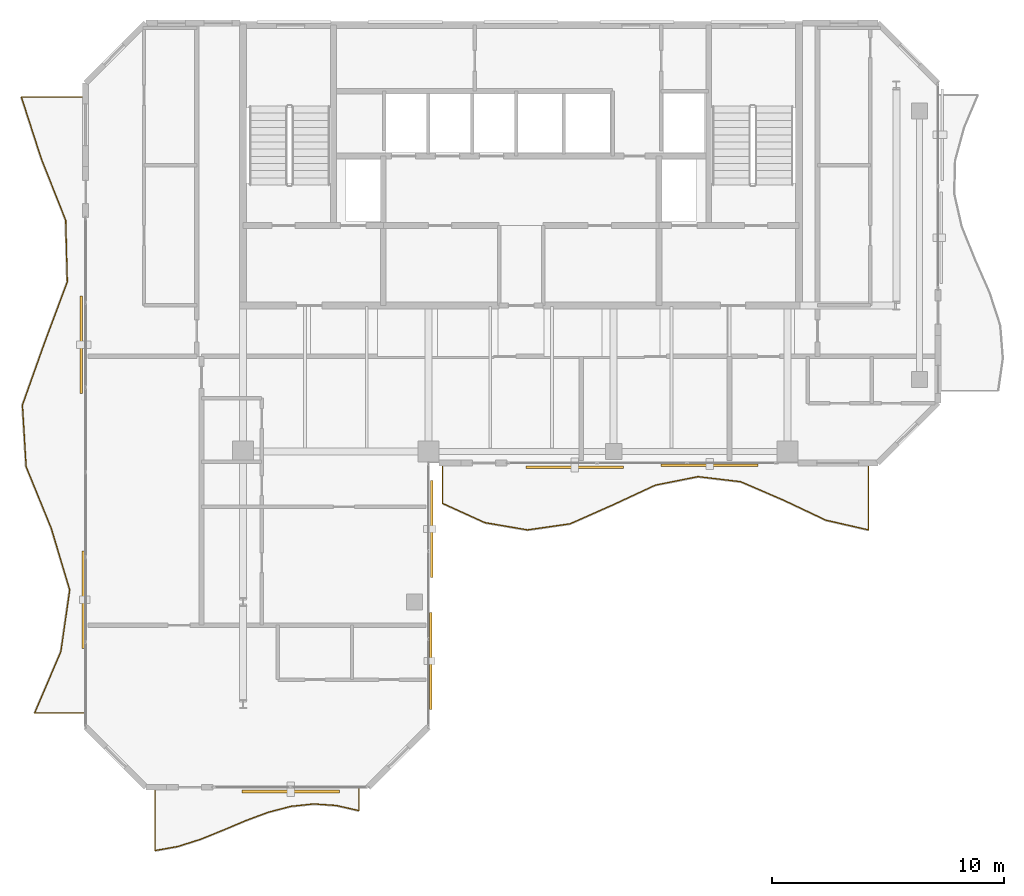
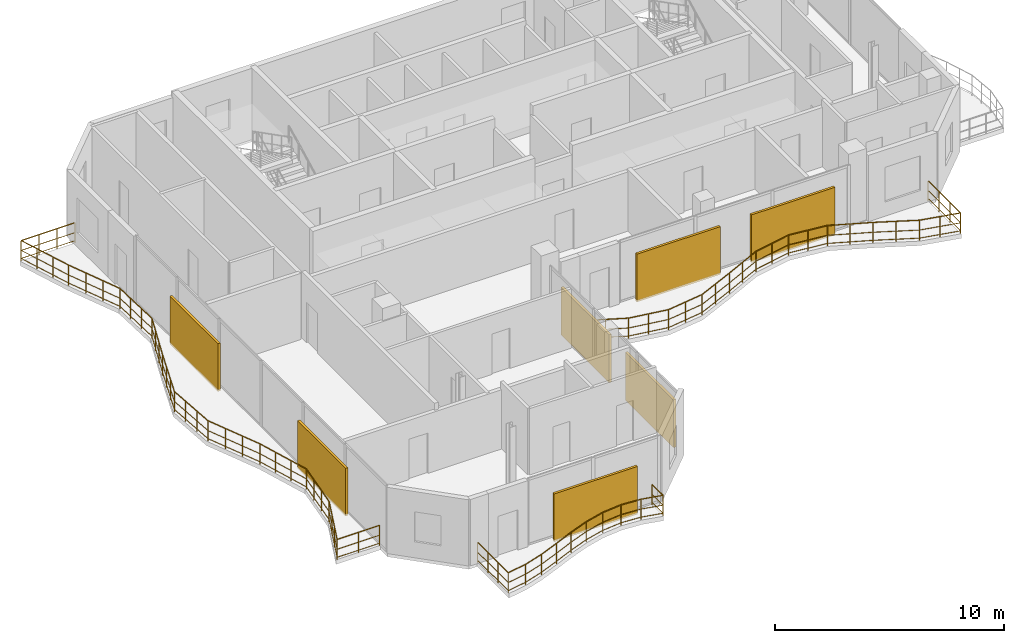
# One storey, part 15 of 16: 7 shading devices, 3 railings.
"""IFC4 building model written with IfcOpenShell, lengths in metres."""

import ifcopenshell
import ifcopenshell.guid

model = None  # the IFC model being written
_history = None  # IfcOwnerHistory: only IFC2X3 demands one
_inside = {}  # id of a spatial element -> (the spatial element, [elements in it])
_under = {}  # id of a project, library or spatial element -> (it, [spatial elements below it])
_declared = {}  # id of a project -> (the project, [libraries it declares])
_typed = {}  # id of a type object -> (the type object, [elements of that type])
_made_of = {}  # id of a material, layer set ... -> (it, [elements and type objects made of it])


def new_model(schema):
    """Start an empty IFC model of exactly this schema.

    Asked for "IFC4X3", IfcOpenShell would pick the latest addendum, in which some entities
    have other attributes; the version numbers below select the first issue.
    IFC2X3 requires an IfcOwnerHistory on every rooted entity: one is made here for all.
    """
    global model, _history
    if schema == "IFC4X3":
        model = ifcopenshell.file(schema_version=(4, 3, 0, 0))
    else:
        model = ifcopenshell.file(schema=schema)
    _inside.clear()
    _under.clear()
    _declared.clear()
    _typed.clear()
    _made_of.clear()
    _history = None
    if model.schema == "IFC2X3":
        org = make("IfcOrganization", Name="unknown")
        user = make(
            "IfcPersonAndOrganization",
            ThePerson=make("IfcPerson", FamilyName="unknown"),
            TheOrganization=org,
        )
        app = make(
            "IfcApplication",
            ApplicationDeveloper=org,
            Version="unknown",
            ApplicationFullName="unknown",
            ApplicationIdentifier="unknown",
        )
        _history = make(
            "IfcOwnerHistory",
            OwningUser=user,
            OwningApplication=app,
            ChangeAction="ADDED",
            CreationDate=0,
        )
    return model


def make(cls, **values):
    """One entity of the class cls with the attributes given. An attribute that is None is left unset."""
    return model.create_entity(
        cls, **{name: value for name, value in values.items() if value is not None}
    )


def rooted(cls, **values):
    """An entity with a GlobalId (a new one), such as an element, a storey or a relation."""
    return make(cls, GlobalId=ifcopenshell.guid.new(), OwnerHistory=_history, **values)


def si_unit(unit_type, name, prefix=None):
    """IfcSIUnit, for example si_unit("LENGTHUNIT", "METRE", prefix="MILLI")."""
    return make("IfcSIUnit", UnitType=unit_type, Prefix=prefix, Name=name)


def assignment(units):
    """IfcUnitAssignment: the units of a project."""
    return None if units is None else make("IfcUnitAssignment", Units=units)


def point(xyz):
    """IfcCartesianPoint."""
    return None if xyz is None else make("IfcCartesianPoint", Coordinates=xyz)


def direction(xyz):
    """IfcDirection."""
    return None if xyz is None else make("IfcDirection", DirectionRatios=xyz)


def frame(location, z_axis=None, x_axis=None):
    """IfcAxis2Placement3D, a coordinate frame: its origin and axes. An axis left out is left unset."""
    return make(
        "IfcAxis2Placement3D",
        Location=point(location),
        Axis=direction(z_axis),
        RefDirection=direction(x_axis),
    )


def frame_2d(location, x_axis=None):
    """IfcAxis2Placement2D, a coordinate frame in the plane: its origin and x axis."""
    return make(
        "IfcAxis2Placement2D", Location=point(location), RefDirection=direction(x_axis)
    )


def origin():
    """The frame at (0, 0, 0) with its axes left unset."""
    return frame((0.0, 0.0, 0.0))


def origin_2d():
    """The frame at (0, 0) in the plane with its x axis left unset."""
    return frame_2d((0.0, 0.0))


def place(relative_to, where):
    """IfcLocalPlacement: puts the frame where relative to a parent placement (None: the world)."""
    return make(
        "IfcLocalPlacement", PlacementRelTo=relative_to, RelativePlacement=where
    )


def context(
    kind, dimensions, precision=None, world=None, true_north=None, identifier=None
):
    """IfcGeometricRepresentationContext, for example the 3D "Model" context."""
    return make(
        "IfcGeometricRepresentationContext",
        ContextIdentifier=identifier,
        ContextType=kind,
        CoordinateSpaceDimension=dimensions,
        Precision=precision,
        WorldCoordinateSystem=world,
        TrueNorth=true_north,
    )


def subcontext(parent, identifier, kind, view, scale=None):
    """IfcGeometricRepresentationSubContext, for example "Body" below "Model"."""
    return make(
        "IfcGeometricRepresentationSubContext",
        ContextIdentifier=identifier,
        ContextType=kind,
        ParentContext=parent,
        TargetScale=scale,
        TargetView=view,
    )


def project(units=None, contexts=None):
    """IfcProject with its units and contexts."""
    return rooted(
        "IfcProject",
        Name="project",
        RepresentationContexts=contexts,
        UnitsInContext=assignment(units),
    )


def spatial(cls, under=None, at=None, **own):
    """A site, building, storey or space (cls), placed at a placement, below another one or the project."""
    s = rooted(cls, ObjectPlacement=at, **own)
    if under is not None:
        _under.setdefault(under.id(), (under, []))[1].append(s)
    return s


def profile(cls, at=None, kind="AREA", **sizes):
    """A parametric profile (cls). Its sizes go by their IFC names, for example OverallWidth=200.0."""
    return make(cls, ProfileType=kind, Position=at, **sizes)


def rectangle(**sizes):
    """IfcRectangleProfileDef."""
    return profile("IfcRectangleProfileDef", **sizes)


def circle(**sizes):
    """IfcCircleProfileDef."""
    return profile("IfcCircleProfileDef", **sizes)


def extrude(swept, where, along, depth):
    """IfcExtrudedAreaSolid: the profile swept, set in the frame where, extruded along a direction by depth."""
    return make(
        "IfcExtrudedAreaSolid",
        SweptArea=swept,
        Position=where,
        ExtrudedDirection=direction(along),
        Depth=depth,
    )


def shape(context_of_items, identifier, shape_type, items):
    """IfcShapeRepresentation: the items that make up one representation, for example the "Body"."""
    return make(
        "IfcShapeRepresentation",
        ContextOfItems=context_of_items,
        RepresentationIdentifier=identifier,
        RepresentationType=shape_type,
        Items=items,
    )


def material(Name=None, Category=None):
    """IfcMaterial."""
    return make("IfcMaterial", Name=Name, Category=Category)


def made_of(thing, what):
    """Note that an element or type object is made of a material, layer set ...; save() writes the relation."""
    if what is not None:
        _made_of.setdefault(what.id(), (what, []))[1].append(thing)
    return thing


def type_object(cls, material=None, **own):
    """A type object (cls), such as IfcWallType, which elements share."""
    return made_of(rooted(cls, **own), material)


def element(
    cls,
    number,
    at=None,
    inside=None,
    cuts=None,
    type_object=None,
    material=None,
    context=None,
    identifier="Body",
    shape_type=None,
    held_by="IfcProductDefinitionShape",
    body=None,
    shapes=None,
    **own,
):
    """One element of the class cls, such as IfcWall. Its Tag is "e" and its number.

    at: its placement. inside: the storey or other place that contains it. cuts: it is an
    opening in that element (IfcRelVoidsElement). A single representation is given by context,
    identifier, shape_type and body (its items); several are given by shapes. held_by: the class
    of the entity that holds the representations. save() writes the other relations.
    """
    e = rooted(cls, Tag="e%d" % number, ObjectPlacement=at, **own)
    if body is not None:
        shapes = [shape(context, identifier, shape_type, body)]
    if shapes is not None:
        e.Representation = make(held_by, Representations=shapes)
    if inside is not None:
        _inside.setdefault(inside.id(), (inside, []))[1].append(e)
    if cuts is not None:
        rooted(
            "IfcRelVoidsElement", RelatingBuildingElement=cuts, RelatedOpeningElement=e
        )
    if type_object is not None:
        _typed.setdefault(type_object.id(), (type_object, []))[1].append(e)
    return made_of(e, material)


def aggregate(whole, parts):
    """IfcRelAggregates: a whole, such as a stair, and the parts it consists of."""
    return rooted("IfcRelAggregates", RelatingObject=whole, RelatedObjects=parts)


def save(model, path):
    """Write the relations noted so far, then the file.

    IfcRelAggregates (storeys below a building ...), IfcRelContainedInSpatialStructure (elements
    in a storey), IfcRelDefinesByType, IfcRelAssociatesMaterial and IfcRelDeclares: one each for
    every whole, place, type object, material and project.
    """
    for whole, parts in _under.values():
        aggregate(whole, parts)
    for where, things in _inside.values():
        rooted(
            "IfcRelContainedInSpatialStructure",
            RelatedElements=things,
            RelatingStructure=where,
        )
    for kind, things in _typed.values():
        rooted("IfcRelDefinesByType", RelatedObjects=things, RelatingType=kind)
    for what, things in _made_of.values():
        rooted("IfcRelAssociatesMaterial", RelatedObjects=things, RelatingMaterial=what)
    for by, libraries in _declared.values():
        rooted("IfcRelDeclares", RelatingContext=by, RelatedDefinitions=libraries)
    model.write(path)


model = new_model("IFC4")

# Units and contexts
model_context = context("Model", 3, precision=1e-05, world=origin(), true_north=direction((0.0, 1.0)))
body_context = subcontext(model_context, "Body", "Model", "MODEL_VIEW")
ifc_project = project(units=[si_unit("LENGTHUNIT", "METRE"), si_unit("AREAUNIT", "SQUARE_METRE"), si_unit("VOLUMEUNIT", "CUBIC_METRE"), si_unit("PLANEANGLEUNIT", "RADIAN"), si_unit("MASSUNIT", "GRAM", prefix="KILO")], contexts=[model_context])

# Site, building, storey
site_placement = place(None, origin())
site = spatial("IfcSite", under=ifc_project, at=site_placement, CompositionType="ELEMENT")
building_placement = place(site_placement, origin())
building = spatial("IfcBuilding", under=site, at=building_placement, Name="Catumbela Crestline Tower", CompositionType="ELEMENT")
storey_placement = place(building_placement, frame((0.0, 0.0, 275.4)))
storey = spatial("IfcBuildingStorey", under=building, at=storey_placement, Name="L71", CompositionType="ELEMENT", Elevation=275.4)

# Railings
ifc_material_1 = material(Name="Stainless steel EN 1.4401", Category="steel")
railing_type = type_object("IfcRailingType", Name="RB-1100", PredefinedType="BALUSTRADE", material=ifc_material_1)
railing_1_placement = place(storey_placement, frame((24.6, 23.94, 0.0)))
element("IfcRailing", 1, at=railing_1_placement, inside=storey, type_object=railing_type, Name="L71 Private Wave Balcony Balustrade 1", PredefinedType="BALUSTRADE", context=body_context, shape_type="SweptSolid", body=[
    extrude(circle(Radius=0.024, at=origin_2d()), frame((0.0, 0.0, 1.076), z_axis=(0.0, -1.0, 0.0), x_axis=(1.0, 0.0, 0.0)), (0.0, 0.0, 1.0), 1.68),
    extrude(circle(Radius=0.0156, at=origin_2d()), frame((0.0, 0.0, 0.55), z_axis=(0.0, -1.0, 0.0), x_axis=(1.0, 0.0, 0.0)), (0.0, 0.0, 1.0), 1.68),
    extrude(circle(Radius=0.0156, at=origin_2d()), frame((0.0, 0.0, 0.12), z_axis=(0.0, -1.0, 0.0), x_axis=(1.0, 0.0, 0.0)), (0.0, 0.0, 1.0), 1.68),
    extrude(circle(Radius=0.024, at=origin_2d()), frame((0.0, -1.68, 1.076), z_axis=(0.910434246239, -0.413653820574, 0.0), x_axis=(0.413653820574, 0.910434246239, 0.0)), (0.0, 0.0, 1.0), 2.021),
    extrude(circle(Radius=0.0156, at=origin_2d()), frame((0.0, -1.68, 0.55), z_axis=(0.910434246239, -0.413653820574, 0.0), x_axis=(0.413653820574, 0.910434246239, 0.0)), (0.0, 0.0, 1.0), 2.021),
    extrude(circle(Radius=0.0156, at=origin_2d()), frame((0.0, -1.68, 0.12), z_axis=(0.910434246239, -0.413653820574, 0.0), x_axis=(0.413653820574, 0.910434246239, 0.0)), (0.0, 0.0, 1.0), 2.021),
    extrude(circle(Radius=0.024, at=origin_2d()), frame((1.84, -2.516, 1.076), z_axis=(0.985749428811, -0.16822028296, 0.0), x_axis=(0.16822028296, 0.985749428811, 0.0)), (0.0, 0.0, 1.0), 1.8666),
    extrude(circle(Radius=0.0156, at=origin_2d()), frame((1.84, -2.516, 0.55), z_axis=(0.985749428811, -0.16822028296, 0.0), x_axis=(0.16822028296, 0.985749428811, 0.0)), (0.0, 0.0, 1.0), 1.8666),
    extrude(circle(Radius=0.0156, at=origin_2d()), frame((1.84, -2.516, 0.12), z_axis=(0.985749428811, -0.16822028296, 0.0), x_axis=(0.16822028296, 0.985749428811, 0.0)), (0.0, 0.0, 1.0), 1.8666),
    extrude(circle(Radius=0.024, at=origin_2d()), frame((3.68, -2.83, 1.076), z_axis=(0.989787470738, 0.142550912905, 0.0), x_axis=(-0.142550912905, 0.989787470738, 0.0)), (0.0, 0.0, 1.0), 1.859),
    extrude(circle(Radius=0.0156, at=origin_2d()), frame((3.68, -2.83, 0.55), z_axis=(0.989787470738, 0.142550912905, 0.0), x_axis=(-0.142550912905, 0.989787470738, 0.0)), (0.0, 0.0, 1.0), 1.859),
    extrude(circle(Radius=0.0156, at=origin_2d()), frame((3.68, -2.83, 0.12), z_axis=(0.989787470738, 0.142550912905, 0.0), x_axis=(-0.142550912905, 0.989787470738, 0.0)), (0.0, 0.0, 1.0), 1.859),
    extrude(circle(Radius=0.024, at=origin_2d()), frame((5.52, -2.565, 1.076), z_axis=(0.914378300155, 0.404860870183, 0.0), x_axis=(-0.404860870183, 0.914378300155, 0.0)), (0.0, 0.0, 1.0), 2.0123),
    extrude(circle(Radius=0.0156, at=origin_2d()), frame((5.52, -2.565, 0.55), z_axis=(0.914378300155, 0.404860870183, 0.0), x_axis=(-0.404860870183, 0.914378300155, 0.0)), (0.0, 0.0, 1.0), 2.0123),
    extrude(circle(Radius=0.0156, at=origin_2d()), frame((5.52, -2.565, 0.12), z_axis=(0.914378300155, 0.404860870183, 0.0), x_axis=(-0.404860870183, 0.914378300155, 0.0)), (0.0, 0.0, 1.0), 2.0123),
    extrude(circle(Radius=0.024, at=origin_2d()), frame((7.36, -1.7503, 1.076), z_axis=(0.906987449457, 0.421157650444, 0.0), x_axis=(-0.421157650444, 0.906987449457, 0.0)), (0.0, 0.0, 1.0), 2.0287),
    extrude(circle(Radius=0.0156, at=origin_2d()), frame((7.36, -1.7503, 0.55), z_axis=(0.906987449457, 0.421157650444, 0.0), x_axis=(-0.421157650444, 0.906987449457, 0.0)), (0.0, 0.0, 1.0), 2.0287),
    extrude(circle(Radius=0.0156, at=origin_2d()), frame((7.36, -1.7503, 0.12), z_axis=(0.906987449457, 0.421157650444, 0.0), x_axis=(-0.421157650444, 0.906987449457, 0.0)), (0.0, 0.0, 1.0), 2.0287),
    extrude(circle(Radius=0.024, at=origin_2d()), frame((9.2, -0.8959, 1.076), z_axis=(0.980795351512, 0.195039684303, 0.0), x_axis=(-0.195039684303, 0.980795351512, 0.0)), (0.0, 0.0, 1.0), 1.876),
    extrude(circle(Radius=0.0156, at=origin_2d()), frame((9.2, -0.8959, 0.55), z_axis=(0.980795351512, 0.195039684303, 0.0), x_axis=(-0.195039684303, 0.980795351512, 0.0)), (0.0, 0.0, 1.0), 1.876),
    extrude(circle(Radius=0.0156, at=origin_2d()), frame((9.2, -0.8959, 0.12), z_axis=(0.980795351512, 0.195039684303, 0.0), x_axis=(-0.195039684303, 0.980795351512, 0.0)), (0.0, 0.0, 1.0), 1.876),
    extrude(circle(Radius=0.024, at=origin_2d()), frame((11.04, -0.53, 1.076), z_axis=(0.992991290469, -0.118187550333, 0.0), x_axis=(0.118187550333, 0.992991290469, 0.0)), (0.0, 0.0, 1.0), 1.853),
    extrude(circle(Radius=0.0156, at=origin_2d()), frame((11.04, -0.53, 0.55), z_axis=(0.992991290469, -0.118187550333, 0.0), x_axis=(0.118187550333, 0.992991290469, 0.0)), (0.0, 0.0, 1.0), 1.853),
    extrude(circle(Radius=0.0156, at=origin_2d()), frame((11.04, -0.53, 0.12), z_axis=(0.992991290469, -0.118187550333, 0.0), x_axis=(0.118187550333, 0.992991290469, 0.0)), (0.0, 0.0, 1.0), 1.853),
    extrude(circle(Radius=0.024, at=origin_2d()), frame((12.88, -0.749, 1.076), z_axis=(0.918777878108, -0.394774886105, 0.0), x_axis=(0.394774886105, 0.918777878108, 0.0)), (0.0, 0.0, 1.0), 2.0027),
    extrude(circle(Radius=0.0156, at=origin_2d()), frame((12.88, -0.749, 0.55), z_axis=(0.918777878108, -0.394774886105, 0.0), x_axis=(0.394774886105, 0.918777878108, 0.0)), (0.0, 0.0, 1.0), 2.0027),
    extrude(circle(Radius=0.0156, at=origin_2d()), frame((12.88, -0.749, 0.12), z_axis=(0.918777878108, -0.394774886105, 0.0), x_axis=(0.394774886105, 0.918777878108, 0.0)), (0.0, 0.0, 1.0), 2.0027),
    extrude(circle(Radius=0.024, at=origin_2d()), frame((14.72, -1.5396, 1.076), z_axis=(0.904056733291, -0.427412474071, 0.0), x_axis=(0.427412474071, 0.904056733291, 0.0)), (0.0, 0.0, 1.0), 2.0353),
    extrude(circle(Radius=0.0156, at=origin_2d()), frame((14.72, -1.5396, 0.55), z_axis=(0.904056733291, -0.427412474071, 0.0), x_axis=(0.427412474071, 0.904056733291, 0.0)), (0.0, 0.0, 1.0), 2.0353),
    extrude(circle(Radius=0.0156, at=origin_2d()), frame((14.72, -1.5396, 0.12), z_axis=(0.904056733291, -0.427412474071, 0.0), x_axis=(0.427412474071, 0.904056733291, 0.0)), (0.0, 0.0, 1.0), 2.0353),
    extrude(circle(Radius=0.024, at=origin_2d()), frame((16.56, -2.4095, 1.076), z_axis=(0.974866726527, -0.222788836144, 0.0), x_axis=(0.222788836144, 0.974866726527, 0.0)), (0.0, 0.0, 1.0), 1.8874),
    extrude(circle(Radius=0.0156, at=origin_2d()), frame((16.56, -2.4095, 0.55), z_axis=(0.974866726527, -0.222788836144, 0.0), x_axis=(0.222788836144, 0.974866726527, 0.0)), (0.0, 0.0, 1.0), 1.8874),
    extrude(circle(Radius=0.0156, at=origin_2d()), frame((16.56, -2.4095, 0.12), z_axis=(0.974866726527, -0.222788836144, 0.0), x_axis=(0.222788836144, 0.974866726527, 0.0)), (0.0, 0.0, 1.0), 1.8874),
    extrude(circle(Radius=0.024, at=origin_2d()), frame((18.4, -2.83, 1.076), z_axis=(0.0, 1.0, 0.0), x_axis=(-1.0, 0.0, 0.0)), (0.0, 0.0, 1.0), 2.83),
    extrude(circle(Radius=0.0156, at=origin_2d()), frame((18.4, -2.83, 0.55), z_axis=(0.0, 1.0, 0.0), x_axis=(-1.0, 0.0, 0.0)), (0.0, 0.0, 1.0), 2.83),
    extrude(circle(Radius=0.0156, at=origin_2d()), frame((18.4, -2.83, 0.12), z_axis=(0.0, 1.0, 0.0), x_axis=(-1.0, 0.0, 0.0)), (0.0, 0.0, 1.0), 2.83),
    extrude(circle(Radius=0.021, at=origin_2d()), origin(), (0.0, 0.0, 1.0), 1.052),
    extrude(circle(Radius=0.021, at=origin_2d()), frame((0.0, -0.84, 0.0)), (0.0, 0.0, 1.0), 1.052),
    extrude(circle(Radius=0.021, at=origin_2d()), frame((0.0, -1.68, 0.0)), (0.0, 0.0, 1.0), 1.052),
    extrude(circle(Radius=0.021, at=origin_2d()), frame((0.92, -2.098, 0.0)), (0.0, 0.0, 1.0), 1.052),
    extrude(circle(Radius=0.021, at=origin_2d()), frame((1.84, -2.516, 0.0)), (0.0, 0.0, 1.0), 1.052),
    extrude(circle(Radius=0.021, at=origin_2d()), frame((2.76, -2.673, 0.0)), (0.0, 0.0, 1.0), 1.052),
    extrude(circle(Radius=0.021, at=origin_2d()), frame((3.68, -2.83, 0.0)), (0.0, 0.0, 1.0), 1.052),
    extrude(circle(Radius=0.021, at=origin_2d()), frame((4.6, -2.6975, 0.0)), (0.0, 0.0, 1.0), 1.052),
    extrude(circle(Radius=0.021, at=origin_2d()), frame((5.52, -2.565, 0.0)), (0.0, 0.0, 1.0), 1.052),
    extrude(circle(Radius=0.021, at=origin_2d()), frame((6.44, -2.1577, 0.0)), (0.0, 0.0, 1.0), 1.052),
    extrude(circle(Radius=0.021, at=origin_2d()), frame((7.36, -1.7503, 0.0)), (0.0, 0.0, 1.0), 1.052),
    extrude(circle(Radius=0.021, at=origin_2d()), frame((8.28, -1.3231, 0.0)), (0.0, 0.0, 1.0), 1.052),
    extrude(circle(Radius=0.021, at=origin_2d()), frame((9.2, -0.8959, 0.0)), (0.0, 0.0, 1.0), 1.052),
    extrude(circle(Radius=0.021, at=origin_2d()), frame((10.12, -0.713, 0.0)), (0.0, 0.0, 1.0), 1.052),
    extrude(circle(Radius=0.021, at=origin_2d()), frame((11.04, -0.53, 0.0)), (0.0, 0.0, 1.0), 1.052),
    extrude(circle(Radius=0.021, at=origin_2d()), frame((11.96, -0.6395, 0.0)), (0.0, 0.0, 1.0), 1.052),
    extrude(circle(Radius=0.021, at=origin_2d()), frame((12.88, -0.749, 0.0)), (0.0, 0.0, 1.0), 1.052),
    extrude(circle(Radius=0.021, at=origin_2d()), frame((13.8, -1.1443, 0.0)), (0.0, 0.0, 1.0), 1.052),
    extrude(circle(Radius=0.021, at=origin_2d()), frame((14.72, -1.5396, 0.0)), (0.0, 0.0, 1.0), 1.052),
    extrude(circle(Radius=0.021, at=origin_2d()), frame((15.64, -1.9746, 0.0)), (0.0, 0.0, 1.0), 1.052),
    extrude(circle(Radius=0.021, at=origin_2d()), frame((16.56, -2.4095, 0.0)), (0.0, 0.0, 1.0), 1.052),
    extrude(circle(Radius=0.021, at=origin_2d()), frame((17.48, -2.6198, 0.0)), (0.0, 0.0, 1.0), 1.052),
    extrude(circle(Radius=0.021, at=origin_2d()), frame((18.4, -2.83, 0.0)), (0.0, 0.0, 1.0), 1.052),
    extrude(circle(Radius=0.021, at=origin_2d()), frame((18.4, -1.8867, 0.0)), (0.0, 0.0, 1.0), 1.052),
    extrude(circle(Radius=0.021, at=origin_2d()), frame((18.4, -0.9433, 0.0)), (0.0, 0.0, 1.0), 1.052),
    extrude(circle(Radius=0.021, at=origin_2d()), frame((18.4, 0.0, 0.0)), (0.0, 0.0, 1.0), 1.052),
])
railing_2_placement = place(storey_placement, frame((12.2, 9.94, 0.0)))
element("IfcRailing", 2, at=railing_2_placement, inside=storey, type_object=railing_type, Name="L71 Private Wave Balcony Balustrade 3", PredefinedType="BALUSTRADE", context=body_context, shape_type="SweptSolid", body=[
    extrude(circle(Radius=0.024, at=origin_2d()), frame((0.0, 0.0, 1.076), z_axis=(0.0, -1.0, 0.0), x_axis=(1.0, 0.0, 0.0)), (0.0, 0.0, 1.0), 2.6733),
    extrude(circle(Radius=0.0156, at=origin_2d()), frame((0.0, 0.0, 0.55), z_axis=(0.0, -1.0, 0.0), x_axis=(1.0, 0.0, 0.0)), (0.0, 0.0, 1.0), 2.6733),
    extrude(circle(Radius=0.0156, at=origin_2d()), frame((0.0, 0.0, 0.12), z_axis=(0.0, -1.0, 0.0), x_axis=(1.0, 0.0, 0.0)), (0.0, 0.0, 1.0), 2.6733),
    extrude(circle(Radius=0.024, at=origin_2d()), frame((0.0, -2.6733, 1.076), z_axis=(0.984463645779, 0.175588525081, 0.0), x_axis=(-0.175588525081, 0.984463645779, 0.0)), (0.0, 0.0, 1.0), 0.9932),
    extrude(circle(Radius=0.0156, at=origin_2d()), frame((0.0, -2.6733, 0.55), z_axis=(0.984463645779, 0.175588525081, 0.0), x_axis=(-0.175588525081, 0.984463645779, 0.0)), (0.0, 0.0, 1.0), 0.9932),
    extrude(circle(Radius=0.0156, at=origin_2d()), frame((0.0, -2.6733, 0.12), z_axis=(0.984463645779, 0.175588525081, 0.0), x_axis=(-0.175588525081, 0.984463645779, 0.0)), (0.0, 0.0, 1.0), 0.9932),
    extrude(circle(Radius=0.024, at=origin_2d()), frame((0.9778, -2.4989, 1.076), z_axis=(0.953268309298, 0.302125024598, 0.0), x_axis=(-0.302125024598, 0.953268309298, 0.0)), (0.0, 0.0, 1.0), 1.0257),
    extrude(circle(Radius=0.0156, at=origin_2d()), frame((0.9778, -2.4989, 0.55), z_axis=(0.953268309298, 0.302125024598, 0.0), x_axis=(-0.302125024598, 0.953268309298, 0.0)), (0.0, 0.0, 1.0), 1.0257),
    extrude(circle(Radius=0.0156, at=origin_2d()), frame((0.9778, -2.4989, 0.12), z_axis=(0.953268309298, 0.302125024598, 0.0), x_axis=(-0.302125024598, 0.953268309298, 0.0)), (0.0, 0.0, 1.0), 1.0257),
    extrude(circle(Radius=0.024, at=origin_2d()), frame((1.9556, -2.189, 1.076), z_axis=(0.927485511883, 0.373859098121, 0.0), x_axis=(-0.373859098121, 0.927485511883, 0.0)), (0.0, 0.0, 1.0), 1.0541),
    extrude(circle(Radius=0.0156, at=origin_2d()), frame((1.9556, -2.189, 0.55), z_axis=(0.927485511883, 0.373859098121, 0.0), x_axis=(-0.373859098121, 0.927485511883, 0.0)), (0.0, 0.0, 1.0), 1.0541),
    extrude(circle(Radius=0.0156, at=origin_2d()), frame((1.9556, -2.189, 0.12), z_axis=(0.927485511883, 0.373859098121, 0.0), x_axis=(-0.373859098121, 0.927485511883, 0.0)), (0.0, 0.0, 1.0), 1.0541),
    extrude(circle(Radius=0.024, at=origin_2d()), frame((2.9333, -1.7949, 1.076), z_axis=(0.921164768224, 0.389172801957, 0.0), x_axis=(-0.389172801957, 0.921164768224, 0.0)), (0.0, 0.0, 1.0), 1.0615),
    extrude(circle(Radius=0.0156, at=origin_2d()), frame((2.9333, -1.7949, 0.55), z_axis=(0.921164768224, 0.389172801957, 0.0), x_axis=(-0.389172801957, 0.921164768224, 0.0)), (0.0, 0.0, 1.0), 1.0615),
    extrude(circle(Radius=0.0156, at=origin_2d()), frame((2.9333, -1.7949, 0.12), z_axis=(0.921164768224, 0.389172801957, 0.0), x_axis=(-0.389172801957, 0.921164768224, 0.0)), (0.0, 0.0, 1.0), 1.0615),
    extrude(circle(Radius=0.024, at=origin_2d()), frame((3.9111, -1.3818, 1.076), z_axis=(0.937232050489, 0.348706299824, 0.0), x_axis=(-0.348706299824, 0.937232050489, 0.0)), (0.0, 0.0, 1.0), 1.0433),
    extrude(circle(Radius=0.0156, at=origin_2d()), frame((3.9111, -1.3818, 0.55), z_axis=(0.937232050489, 0.348706299824, 0.0), x_axis=(-0.348706299824, 0.937232050489, 0.0)), (0.0, 0.0, 1.0), 1.0433),
    extrude(circle(Radius=0.0156, at=origin_2d()), frame((3.9111, -1.3818, 0.12), z_axis=(0.937232050489, 0.348706299824, 0.0), x_axis=(-0.348706299824, 0.937232050489, 0.0)), (0.0, 0.0, 1.0), 1.0433),
    extrude(circle(Radius=0.024, at=origin_2d()), frame((4.8889, -1.018, 1.076), z_axis=(0.967829255939, 0.251607892063, 0.0), x_axis=(-0.251607892063, 0.967829255939, 0.0)), (0.0, 0.0, 1.0), 1.0103),
    extrude(circle(Radius=0.0156, at=origin_2d()), frame((4.8889, -1.018, 0.55), z_axis=(0.967829255939, 0.251607892063, 0.0), x_axis=(-0.251607892063, 0.967829255939, 0.0)), (0.0, 0.0, 1.0), 1.0103),
    extrude(circle(Radius=0.0156, at=origin_2d()), frame((4.8889, -1.018, 0.12), z_axis=(0.967829255939, 0.251607892063, 0.0), x_axis=(-0.251607892063, 0.967829255939, 0.0)), (0.0, 0.0, 1.0), 1.0103),
    extrude(circle(Radius=0.024, at=origin_2d()), frame((5.8667, -0.7638, 1.076), z_axis=(0.994528281662, 0.104467683877, 0.0), x_axis=(-0.104467683877, 0.994528281662, 0.0)), (0.0, 0.0, 1.0), 0.9831),
    extrude(circle(Radius=0.0156, at=origin_2d()), frame((5.8667, -0.7638, 0.55), z_axis=(0.994528281662, 0.104467683877, 0.0), x_axis=(-0.104467683877, 0.994528281662, 0.0)), (0.0, 0.0, 1.0), 0.9831),
    extrude(circle(Radius=0.0156, at=origin_2d()), frame((5.8667, -0.7638, 0.12), z_axis=(0.994528281662, 0.104467683877, 0.0), x_axis=(-0.104467683877, 0.994528281662, 0.0)), (0.0, 0.0, 1.0), 0.9831),
    extrude(circle(Radius=0.024, at=origin_2d()), frame((6.8444, -0.6611, 1.076), z_axis=(0.997743425062, -0.067142071353, 0.0), x_axis=(0.067142071353, 0.997743425062, 0.0)), (0.0, 0.0, 1.0), 0.98),
    extrude(circle(Radius=0.0156, at=origin_2d()), frame((6.8444, -0.6611, 0.55), z_axis=(0.997743425062, -0.067142071353, 0.0), x_axis=(0.067142071353, 0.997743425062, 0.0)), (0.0, 0.0, 1.0), 0.98),
    extrude(circle(Radius=0.0156, at=origin_2d()), frame((6.8444, -0.6611, 0.12), z_axis=(0.997743425062, -0.067142071353, 0.0), x_axis=(0.067142071353, 0.997743425062, 0.0)), (0.0, 0.0, 1.0), 0.98),
    extrude(circle(Radius=0.024, at=origin_2d()), frame((7.8222, -0.7269, 1.076), z_axis=(0.974857887799, -0.222827508614, 0.0), x_axis=(0.222827508614, 0.974857887799, 0.0)), (0.0, 0.0, 1.0), 1.003),
    extrude(circle(Radius=0.0156, at=origin_2d()), frame((7.8222, -0.7269, 0.55), z_axis=(0.974857887799, -0.222827508614, 0.0), x_axis=(0.222827508614, 0.974857887799, 0.0)), (0.0, 0.0, 1.0), 1.003),
    extrude(circle(Radius=0.0156, at=origin_2d()), frame((7.8222, -0.7269, 0.12), z_axis=(0.974857887799, -0.222827508614, 0.0), x_axis=(0.222827508614, 0.974857887799, 0.0)), (0.0, 0.0, 1.0), 1.003),
    extrude(circle(Radius=0.024, at=origin_2d()), frame((8.8, -0.9504, 1.076), z_axis=(0.0, 1.0, 0.0), x_axis=(-1.0, 0.0, 0.0)), (0.0, 0.0, 1.0), 0.9504),
    extrude(circle(Radius=0.0156, at=origin_2d()), frame((8.8, -0.9504, 0.55), z_axis=(0.0, 1.0, 0.0), x_axis=(-1.0, 0.0, 0.0)), (0.0, 0.0, 1.0), 0.9504),
    extrude(circle(Radius=0.0156, at=origin_2d()), frame((8.8, -0.9504, 0.12), z_axis=(0.0, 1.0, 0.0), x_axis=(-1.0, 0.0, 0.0)), (0.0, 0.0, 1.0), 0.9504),
    extrude(circle(Radius=0.021, at=origin_2d()), origin(), (0.0, 0.0, 1.0), 1.052),
    extrude(circle(Radius=0.021, at=origin_2d()), frame((0.0, -0.8911, 0.0)), (0.0, 0.0, 1.0), 1.052),
    extrude(circle(Radius=0.021, at=origin_2d()), frame((0.0, -1.7822, 0.0)), (0.0, 0.0, 1.0), 1.052),
    extrude(circle(Radius=0.021, at=origin_2d()), frame((0.0, -2.6733, 0.0)), (0.0, 0.0, 1.0), 1.052),
    extrude(circle(Radius=0.021, at=origin_2d()), frame((0.9778, -2.4989, 0.0)), (0.0, 0.0, 1.0), 1.052),
    extrude(circle(Radius=0.021, at=origin_2d()), frame((1.9556, -2.189, 0.0)), (0.0, 0.0, 1.0), 1.052),
    extrude(circle(Radius=0.021, at=origin_2d()), frame((2.9333, -1.7949, 0.0)), (0.0, 0.0, 1.0), 1.052),
    extrude(circle(Radius=0.021, at=origin_2d()), frame((3.9111, -1.3818, 0.0)), (0.0, 0.0, 1.0), 1.052),
    extrude(circle(Radius=0.021, at=origin_2d()), frame((4.8889, -1.018, 0.0)), (0.0, 0.0, 1.0), 1.052),
    extrude(circle(Radius=0.021, at=origin_2d()), frame((5.8667, -0.7638, 0.0)), (0.0, 0.0, 1.0), 1.052),
    extrude(circle(Radius=0.021, at=origin_2d()), frame((6.8444, -0.6611, 0.0)), (0.0, 0.0, 1.0), 1.052),
    extrude(circle(Radius=0.021, at=origin_2d()), frame((7.8222, -0.7269, 0.0)), (0.0, 0.0, 1.0), 1.052),
    extrude(circle(Radius=0.021, at=origin_2d()), frame((8.8, -0.9504, 0.0)), (0.0, 0.0, 1.0), 1.052),
    extrude(circle(Radius=0.021, at=origin_2d()), frame((8.8, 0.0, 0.0)), (0.0, 0.0, 1.0), 1.052),
])
railing_3_placement = place(storey_placement, frame((9.14, 39.8, 0.0)))
element("IfcRailing", 3, at=railing_3_placement, inside=storey, type_object=railing_type, Name="L71 Private Wave Balcony Balustrade 4", PredefinedType="BALUSTRADE", context=body_context, shape_type="SweptSolid", body=[
    extrude(circle(Radius=0.024, at=origin_2d()), frame((0.0, 0.0, 1.076), z_axis=(-1.0, 0.0, 0.0), x_axis=(0.0, -1.0, 0.0)), (0.0, 0.0, 1.0), 2.7134),
    extrude(circle(Radius=0.0156, at=origin_2d()), frame((0.0, 0.0, 0.55), z_axis=(-1.0, 0.0, 0.0), x_axis=(0.0, -1.0, 0.0)), (0.0, 0.0, 1.0), 2.7134),
    extrude(circle(Radius=0.0156, at=origin_2d()), frame((0.0, 0.0, 0.12), z_axis=(-1.0, 0.0, 0.0), x_axis=(0.0, -1.0, 0.0)), (0.0, 0.0, 1.0), 2.7134),
    extrude(circle(Radius=0.024, at=origin_2d()), frame((-2.7134, 0.0, 1.076), z_axis=(0.307500248562, -0.951548000436, 0.0), x_axis=(0.951548000436, 0.307500248562, 0.0)), (0.0, 0.0, 1.0), 2.7954),
    extrude(circle(Radius=0.0156, at=origin_2d()), frame((-2.7134, 0.0, 0.55), z_axis=(0.307500248562, -0.951548000436, 0.0), x_axis=(0.951548000436, 0.307500248562, 0.0)), (0.0, 0.0, 1.0), 2.7954),
    extrude(circle(Radius=0.0156, at=origin_2d()), frame((-2.7134, 0.0, 0.12), z_axis=(0.307500248562, -0.951548000436, 0.0), x_axis=(0.951548000436, 0.307500248562, 0.0)), (0.0, 0.0, 1.0), 2.7954),
    extrude(circle(Radius=0.024, at=origin_2d()), frame((-1.8538, -2.66, 1.076), z_axis=(0.368345559173, -0.929688952842, 0.0), x_axis=(0.929688952842, 0.368345559173, 0.0)), (0.0, 0.0, 1.0), 2.8612),
    extrude(circle(Radius=0.0156, at=origin_2d()), frame((-1.8538, -2.66, 0.55), z_axis=(0.368345559173, -0.929688952842, 0.0), x_axis=(0.929688952842, 0.368345559173, 0.0)), (0.0, 0.0, 1.0), 2.8612),
    extrude(circle(Radius=0.0156, at=origin_2d()), frame((-1.8538, -2.66, 0.12), z_axis=(0.368345559173, -0.929688952842, 0.0), x_axis=(0.929688952842, 0.368345559173, 0.0)), (0.0, 0.0, 1.0), 2.8612),
    extrude(circle(Radius=0.024, at=origin_2d()), frame((-0.7999, -5.32, 1.076), z_axis=(0.026194016687, -0.999656877878, 0.0), x_axis=(0.999656877878, 0.026194016687, 0.0)), (0.0, 0.0, 1.0), 2.6609),
    extrude(circle(Radius=0.0156, at=origin_2d()), frame((-0.7999, -5.32, 0.55), z_axis=(0.026194016687, -0.999656877878, 0.0), x_axis=(0.999656877878, 0.026194016687, 0.0)), (0.0, 0.0, 1.0), 2.6609),
    extrude(circle(Radius=0.0156, at=origin_2d()), frame((-0.7999, -5.32, 0.12), z_axis=(0.026194016687, -0.999656877878, 0.0), x_axis=(0.999656877878, 0.026194016687, 0.0)), (0.0, 0.0, 1.0), 2.6609),
    extrude(circle(Radius=0.024, at=origin_2d()), frame((-0.7302, -7.98, 1.076), z_axis=(-0.349548065031, -0.936918433074, 0.0), x_axis=(0.936918433074, -0.349548065031, 0.0)), (0.0, 0.0, 1.0), 2.8391),
    extrude(circle(Radius=0.0156, at=origin_2d()), frame((-0.7302, -7.98, 0.55), z_axis=(-0.349548065031, -0.936918433074, 0.0), x_axis=(0.936918433074, -0.349548065031, 0.0)), (0.0, 0.0, 1.0), 2.8391),
    extrude(circle(Radius=0.0156, at=origin_2d()), frame((-0.7302, -7.98, 0.12), z_axis=(-0.349548065031, -0.936918433074, 0.0), x_axis=(0.936918433074, -0.349548065031, 0.0)), (0.0, 0.0, 1.0), 2.8391),
    extrude(circle(Radius=0.024, at=origin_2d()), frame((-1.7226, -10.64, 1.076), z_axis=(-0.334702140332, -0.942323976803, 0.0), x_axis=(0.942323976803, -0.334702140332, 0.0)), (0.0, 0.0, 1.0), 2.8228),
    extrude(circle(Radius=0.0156, at=origin_2d()), frame((-1.7226, -10.64, 0.55), z_axis=(-0.334702140332, -0.942323976803, 0.0), x_axis=(0.942323976803, -0.334702140332, 0.0)), (0.0, 0.0, 1.0), 2.8228),
    extrude(circle(Radius=0.0156, at=origin_2d()), frame((-1.7226, -10.64, 0.12), z_axis=(-0.334702140332, -0.942323976803, 0.0), x_axis=(0.942323976803, -0.334702140332, 0.0)), (0.0, 0.0, 1.0), 2.8228),
    extrude(circle(Radius=0.024, at=origin_2d()), frame((-2.6674, -13.3, 1.076), z_axis=(0.05981750645, -0.998209329711, 0.0), x_axis=(0.998209329711, 0.05981750645, 0.0)), (0.0, 0.0, 1.0), 2.6648),
    extrude(circle(Radius=0.0156, at=origin_2d()), frame((-2.6674, -13.3, 0.55), z_axis=(0.05981750645, -0.998209329711, 0.0), x_axis=(0.998209329711, 0.05981750645, 0.0)), (0.0, 0.0, 1.0), 2.6648),
    extrude(circle(Radius=0.0156, at=origin_2d()), frame((-2.6674, -13.3, 0.12), z_axis=(0.05981750645, -0.998209329711, 0.0), x_axis=(0.998209329711, 0.05981750645, 0.0)), (0.0, 0.0, 1.0), 2.6648),
    extrude(circle(Radius=0.024, at=origin_2d()), frame((-2.508, -15.96, 1.076), z_axis=(0.377773382079, -0.925898089312, 0.0), x_axis=(0.925898089312, 0.377773382079, 0.0)), (0.0, 0.0, 1.0), 2.8729),
    extrude(circle(Radius=0.0156, at=origin_2d()), frame((-2.508, -15.96, 0.55), z_axis=(0.377773382079, -0.925898089312, 0.0), x_axis=(0.925898089312, 0.377773382079, 0.0)), (0.0, 0.0, 1.0), 2.8729),
    extrude(circle(Radius=0.0156, at=origin_2d()), frame((-2.508, -15.96, 0.12), z_axis=(0.377773382079, -0.925898089312, 0.0), x_axis=(0.925898089312, 0.377773382079, 0.0)), (0.0, 0.0, 1.0), 2.8729),
    extrude(circle(Radius=0.024, at=origin_2d()), frame((-1.4227, -18.62, 1.076), z_axis=(0.287215736054, -0.957865920139, 0.0), x_axis=(0.957865920139, 0.287215736054, 0.0)), (0.0, 0.0, 1.0), 2.777),
    extrude(circle(Radius=0.0156, at=origin_2d()), frame((-1.4227, -18.62, 0.55), z_axis=(0.287215736054, -0.957865920139, 0.0), x_axis=(0.957865920139, 0.287215736054, 0.0)), (0.0, 0.0, 1.0), 2.777),
    extrude(circle(Radius=0.0156, at=origin_2d()), frame((-1.4227, -18.62, 0.12), z_axis=(0.287215736054, -0.957865920139, 0.0), x_axis=(0.957865920139, 0.287215736054, 0.0)), (0.0, 0.0, 1.0), 2.777),
    extrude(circle(Radius=0.024, at=origin_2d()), frame((-0.6251, -21.28, 1.076), z_axis=(-0.14215067735, -0.989845030764, 0.0), x_axis=(0.989845030764, -0.14215067735, 0.0)), (0.0, 0.0, 1.0), 2.6873),
    extrude(circle(Radius=0.0156, at=origin_2d()), frame((-0.6251, -21.28, 0.55), z_axis=(-0.14215067735, -0.989845030764, 0.0), x_axis=(0.989845030764, -0.14215067735, 0.0)), (0.0, 0.0, 1.0), 2.6873),
    extrude(circle(Radius=0.0156, at=origin_2d()), frame((-0.6251, -21.28, 0.12), z_axis=(-0.14215067735, -0.989845030764, 0.0), x_axis=(0.989845030764, -0.14215067735, 0.0)), (0.0, 0.0, 1.0), 2.6873),
    extrude(circle(Radius=0.024, at=origin_2d()), frame((-1.0071, -23.94, 1.076), z_axis=(-0.392311911672, -0.919832247728, 0.0), x_axis=(0.919832247728, -0.392311911672, 0.0)), (0.0, 0.0, 1.0), 2.8918),
    extrude(circle(Radius=0.0156, at=origin_2d()), frame((-1.0071, -23.94, 0.55), z_axis=(-0.392311911672, -0.919832247728, 0.0), x_axis=(0.919832247728, -0.392311911672, 0.0)), (0.0, 0.0, 1.0), 2.8918),
    extrude(circle(Radius=0.0156, at=origin_2d()), frame((-1.0071, -23.94, 0.12), z_axis=(-0.392311911672, -0.919832247728, 0.0), x_axis=(0.919832247728, -0.392311911672, 0.0)), (0.0, 0.0, 1.0), 2.8918),
    extrude(circle(Radius=0.024, at=origin_2d()), frame((-2.1416, -26.6, 1.076), z_axis=(1.0, 0.0, 0.0), x_axis=(0.0, 1.0, 0.0)), (0.0, 0.0, 1.0), 2.1416),
    extrude(circle(Radius=0.0156, at=origin_2d()), frame((-2.1416, -26.6, 0.55), z_axis=(1.0, 0.0, 0.0), x_axis=(0.0, 1.0, 0.0)), (0.0, 0.0, 1.0), 2.1416),
    extrude(circle(Radius=0.0156, at=origin_2d()), frame((-2.1416, -26.6, 0.12), z_axis=(1.0, 0.0, 0.0), x_axis=(0.0, 1.0, 0.0)), (0.0, 0.0, 1.0), 2.1416),
    extrude(circle(Radius=0.021, at=origin_2d()), origin(), (0.0, 0.0, 1.0), 1.052),
    extrude(circle(Radius=0.021, at=origin_2d()), frame((-0.9045, 0.0, 0.0)), (0.0, 0.0, 1.0), 1.052),
    extrude(circle(Radius=0.021, at=origin_2d()), frame((-1.8089, 0.0, 0.0)), (0.0, 0.0, 1.0), 1.052),
    extrude(circle(Radius=0.021, at=origin_2d()), frame((-2.7134, 0.0, 0.0)), (0.0, 0.0, 1.0), 1.052),
    extrude(circle(Radius=0.021, at=origin_2d()), frame((-2.4269, -0.8867, 0.0)), (0.0, 0.0, 1.0), 1.052),
    extrude(circle(Radius=0.021, at=origin_2d()), frame((-2.1403, -1.7733, 0.0)), (0.0, 0.0, 1.0), 1.052),
    extrude(circle(Radius=0.021, at=origin_2d()), frame((-1.8538, -2.66, 0.0)), (0.0, 0.0, 1.0), 1.052),
    extrude(circle(Radius=0.021, at=origin_2d()), frame((-1.5025, -3.5467, 0.0)), (0.0, 0.0, 1.0), 1.052),
    extrude(circle(Radius=0.021, at=origin_2d()), frame((-1.1512, -4.4333, 0.0)), (0.0, 0.0, 1.0), 1.052),
    extrude(circle(Radius=0.021, at=origin_2d()), frame((-0.7999, -5.32, 0.0)), (0.0, 0.0, 1.0), 1.052),
    extrude(circle(Radius=0.021, at=origin_2d()), frame((-0.7767, -6.2067, 0.0)), (0.0, 0.0, 1.0), 1.052),
    extrude(circle(Radius=0.021, at=origin_2d()), frame((-0.7534, -7.0933, 0.0)), (0.0, 0.0, 1.0), 1.052),
    extrude(circle(Radius=0.021, at=origin_2d()), frame((-0.7302, -7.98, 0.0)), (0.0, 0.0, 1.0), 1.052),
    extrude(circle(Radius=0.021, at=origin_2d()), frame((-1.061, -8.8667, 0.0)), (0.0, 0.0, 1.0), 1.052),
    extrude(circle(Radius=0.021, at=origin_2d()), frame((-1.3918, -9.7533, 0.0)), (0.0, 0.0, 1.0), 1.052),
    extrude(circle(Radius=0.021, at=origin_2d()), frame((-1.7226, -10.64, 0.0)), (0.0, 0.0, 1.0), 1.052),
    extrude(circle(Radius=0.021, at=origin_2d()), frame((-2.0375, -11.5267, 0.0)), (0.0, 0.0, 1.0), 1.052),
    extrude(circle(Radius=0.021, at=origin_2d()), frame((-2.3525, -12.4133, 0.0)), (0.0, 0.0, 1.0), 1.052),
    extrude(circle(Radius=0.021, at=origin_2d()), frame((-2.6674, -13.3, 0.0)), (0.0, 0.0, 1.0), 1.052),
    extrude(circle(Radius=0.021, at=origin_2d()), frame((-2.6143, -14.1867, 0.0)), (0.0, 0.0, 1.0), 1.052),
    extrude(circle(Radius=0.021, at=origin_2d()), frame((-2.5611, -15.0733, 0.0)), (0.0, 0.0, 1.0), 1.052),
    extrude(circle(Radius=0.021, at=origin_2d()), frame((-2.508, -15.96, 0.0)), (0.0, 0.0, 1.0), 1.052),
    extrude(circle(Radius=0.021, at=origin_2d()), frame((-2.1462, -16.8467, 0.0)), (0.0, 0.0, 1.0), 1.052),
    extrude(circle(Radius=0.021, at=origin_2d()), frame((-1.7845, -17.7333, 0.0)), (0.0, 0.0, 1.0), 1.052),
    extrude(circle(Radius=0.021, at=origin_2d()), frame((-1.4227, -18.62, 0.0)), (0.0, 0.0, 1.0), 1.052),
    extrude(circle(Radius=0.021, at=origin_2d()), frame((-1.1568, -19.5067, 0.0)), (0.0, 0.0, 1.0), 1.052),
    extrude(circle(Radius=0.021, at=origin_2d()), frame((-0.891, -20.3933, 0.0)), (0.0, 0.0, 1.0), 1.052),
    extrude(circle(Radius=0.021, at=origin_2d()), frame((-0.6251, -21.28, 0.0)), (0.0, 0.0, 1.0), 1.052),
    extrude(circle(Radius=0.021, at=origin_2d()), frame((-0.7524, -22.1667, 0.0)), (0.0, 0.0, 1.0), 1.052),
    extrude(circle(Radius=0.021, at=origin_2d()), frame((-0.8798, -23.0533, 0.0)), (0.0, 0.0, 1.0), 1.052),
    extrude(circle(Radius=0.021, at=origin_2d()), frame((-1.0071, -23.94, 0.0)), (0.0, 0.0, 1.0), 1.052),
    extrude(circle(Radius=0.021, at=origin_2d()), frame((-1.3853, -24.8267, 0.0)), (0.0, 0.0, 1.0), 1.052),
    extrude(circle(Radius=0.021, at=origin_2d()), frame((-1.7634, -25.7133, 0.0)), (0.0, 0.0, 1.0), 1.052),
    extrude(circle(Radius=0.021, at=origin_2d()), frame((-2.1416, -26.6, 0.0)), (0.0, 0.0, 1.0), 1.052),
    extrude(circle(Radius=0.021, at=origin_2d()), frame((-1.0708, -26.6, 0.0)), (0.0, 0.0, 1.0), 1.052),
    extrude(circle(Radius=0.021, at=origin_2d()), frame((0.0, -26.6, 0.0)), (0.0, 0.0, 1.0), 1.052),
])

# Shading devices
ifc_material_2 = material(Name="Extruded terracotta ceramic", Category="masonry")
shading_device_type_1 = type_object("IfcShadingDeviceType", Name="ST-180", PredefinedType="USERDEFINED", material=ifc_material_2)
for number, where, z_axis, x_axis, name in (
    (4, (24.099, 15.45, -0.1), (0.0, 0.0, 1.0), (0.0, 1.0, 0.0), "L71 Perforated Terracotta Solar Screen 874 (180 mm)"),
    (5, (36.1375, 23.901, -0.1), (0.0, 0.0, 1.0), (1.0, 0.0, 0.0), "L71 Perforated Terracotta Solar Screen 877 (180 mm)"),
    (6, (9.101, 18.1, -0.1), (0.0, 0.0, 1.0), (0.0, -1.0, 0.0), "L71 Perforated Terracotta Solar Screen 881 (180 mm)"),
):
    element("IfcShadingDevice", number, at=place(storey_placement, frame(where, z_axis=z_axis, x_axis=x_axis)), inside=storey, type_object=shading_device_type_1, Name=name, ObjectType="SCREEN", PredefinedType="USERDEFINED", context=body_context, shape_type="SweptSolid", body=[
        extrude(rectangle(XDim=4.2, YDim=0.12, at=origin_2d()), origin(), (0.0, 0.0, 1.0), 2.55),
    ])
shading_device_type_2 = type_object("IfcShadingDeviceType", Name="ST-260", PredefinedType="USERDEFINED", material=ifc_material_2)
shading_device_placement = place(storey_placement, frame((24.143, 21.15, -0.1), z_axis=(0.0, 0.0, 1.0), x_axis=(0.0, 1.0, 0.0)))
element("IfcShadingDevice", 7, at=shading_device_placement, inside=storey, type_object=shading_device_type_2, Name="L71 Perforated Terracotta Solar Screen 875 (260 mm)", ObjectType="SCREEN", PredefinedType="USERDEFINED", context=body_context, shape_type="SweptSolid", body=[
    extrude(rectangle(XDim=4.2, YDim=0.12, at=origin_2d()), origin(), (0.0, 0.0, 1.0), 2.55),
])
shading_device_type_3 = type_object("IfcShadingDeviceType", Name="ST-340", PredefinedType="USERDEFINED", material=ifc_material_2)
for number, where, z_axis, x_axis, name in (
    (8, (18.05, 9.813, -0.1), (0.0, 0.0, 1.0), (1.0, 0.0, 0.0), "L71 Perforated Terracotta Solar Screen 873 (340 mm)"),
    (9, (30.3125, 23.813, -0.1), (0.0, 0.0, 1.0), (1.0, 0.0, 0.0), "L71 Perforated Terracotta Solar Screen 876 (340 mm)"),
    (10, (9.013, 29.1, -0.1), (0.0, 0.0, 1.0), (0.0, -1.0, 0.0), "L71 Perforated Terracotta Solar Screen 880 (340 mm)"),
):
    element("IfcShadingDevice", number, at=place(storey_placement, frame(where, z_axis=z_axis, x_axis=x_axis)), inside=storey, type_object=shading_device_type_3, Name=name, ObjectType="SCREEN", PredefinedType="USERDEFINED", context=body_context, shape_type="SweptSolid", body=[
        extrude(rectangle(XDim=4.2, YDim=0.12, at=origin_2d()), origin(), (0.0, 0.0, 1.0), 2.55),
    ])

save(model, "model.ifc")
